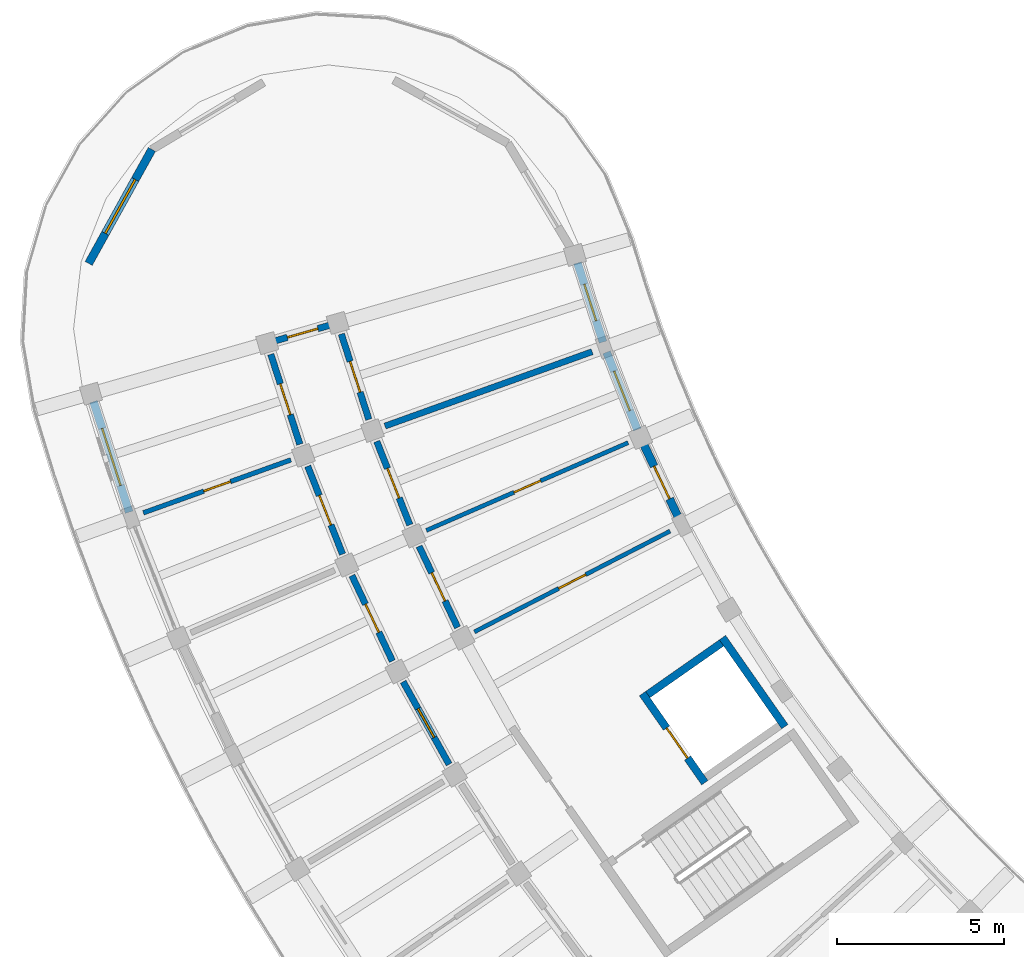
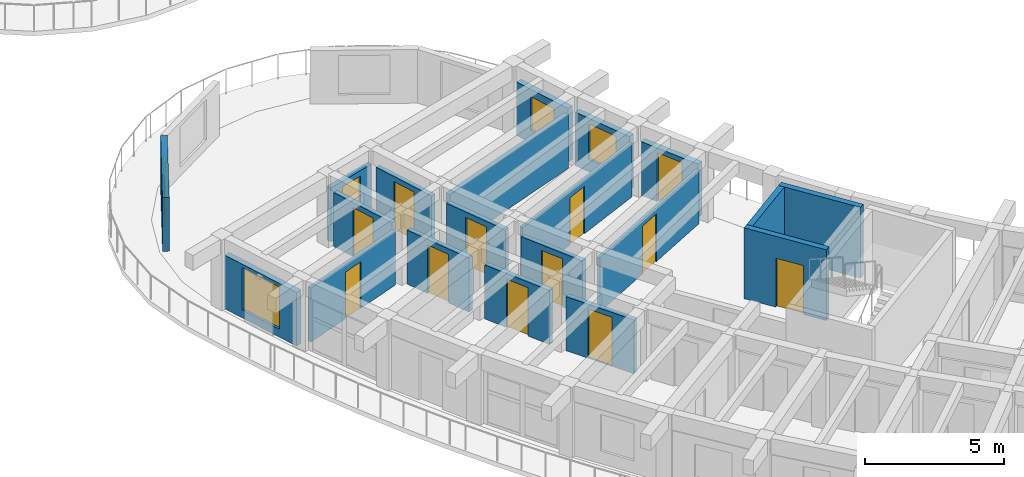
# One storey, part 57 of 96: 20 walls, 13 doors, 4 windows, 17 openings.
"""IFC4 building model written with IfcOpenShell, lengths in metres."""

import ifcopenshell
import ifcopenshell.guid

model = None  # the IFC model being written
_history = None  # IfcOwnerHistory: only IFC2X3 demands one
_inside = {}  # id of a spatial element -> (the spatial element, [elements in it])
_under = {}  # id of a project, library or spatial element -> (it, [spatial elements below it])
_declared = {}  # id of a project -> (the project, [libraries it declares])
_typed = {}  # id of a type object -> (the type object, [elements of that type])
_made_of = {}  # id of a material, layer set ... -> (it, [elements and type objects made of it])


def new_model(schema):
    """Start an empty IFC model of exactly this schema.

    Asked for "IFC4X3", IfcOpenShell would pick the latest addendum, in which some entities
    have other attributes; the version numbers below select the first issue.
    IFC2X3 requires an IfcOwnerHistory on every rooted entity: one is made here for all.
    """
    global model, _history
    if schema == "IFC4X3":
        model = ifcopenshell.file(schema_version=(4, 3, 0, 0))
    else:
        model = ifcopenshell.file(schema=schema)
    _inside.clear()
    _under.clear()
    _declared.clear()
    _typed.clear()
    _made_of.clear()
    _history = None
    if model.schema == "IFC2X3":
        org = make("IfcOrganization", Name="unknown")
        user = make(
            "IfcPersonAndOrganization",
            ThePerson=make("IfcPerson", FamilyName="unknown"),
            TheOrganization=org,
        )
        app = make(
            "IfcApplication",
            ApplicationDeveloper=org,
            Version="unknown",
            ApplicationFullName="unknown",
            ApplicationIdentifier="unknown",
        )
        _history = make(
            "IfcOwnerHistory",
            OwningUser=user,
            OwningApplication=app,
            ChangeAction="ADDED",
            CreationDate=0,
        )
    return model


def make(cls, **values):
    """One entity of the class cls with the attributes given. An attribute that is None is left unset."""
    return model.create_entity(
        cls, **{name: value for name, value in values.items() if value is not None}
    )


def rooted(cls, **values):
    """An entity with a GlobalId (a new one), such as an element, a storey or a relation."""
    return make(cls, GlobalId=ifcopenshell.guid.new(), OwnerHistory=_history, **values)


def si_unit(unit_type, name, prefix=None):
    """IfcSIUnit, for example si_unit("LENGTHUNIT", "METRE", prefix="MILLI")."""
    return make("IfcSIUnit", UnitType=unit_type, Prefix=prefix, Name=name)


def assignment(units):
    """IfcUnitAssignment: the units of a project."""
    return None if units is None else make("IfcUnitAssignment", Units=units)


def point(xyz):
    """IfcCartesianPoint."""
    return None if xyz is None else make("IfcCartesianPoint", Coordinates=xyz)


def direction(xyz):
    """IfcDirection."""
    return None if xyz is None else make("IfcDirection", DirectionRatios=xyz)


def frame(location, z_axis=None, x_axis=None):
    """IfcAxis2Placement3D, a coordinate frame: its origin and axes. An axis left out is left unset."""
    return make(
        "IfcAxis2Placement3D",
        Location=point(location),
        Axis=direction(z_axis),
        RefDirection=direction(x_axis),
    )


def frame_2d(location, x_axis=None):
    """IfcAxis2Placement2D, a coordinate frame in the plane: its origin and x axis."""
    return make(
        "IfcAxis2Placement2D", Location=point(location), RefDirection=direction(x_axis)
    )


def origin():
    """The frame at (0, 0, 0) with its axes left unset."""
    return frame((0.0, 0.0, 0.0))


def place(relative_to, where):
    """IfcLocalPlacement: puts the frame where relative to a parent placement (None: the world)."""
    return make(
        "IfcLocalPlacement", PlacementRelTo=relative_to, RelativePlacement=where
    )


def context(
    kind, dimensions, precision=None, world=None, true_north=None, identifier=None
):
    """IfcGeometricRepresentationContext, for example the 3D "Model" context."""
    return make(
        "IfcGeometricRepresentationContext",
        ContextIdentifier=identifier,
        ContextType=kind,
        CoordinateSpaceDimension=dimensions,
        Precision=precision,
        WorldCoordinateSystem=world,
        TrueNorth=true_north,
    )


def subcontext(parent, identifier, kind, view, scale=None):
    """IfcGeometricRepresentationSubContext, for example "Body" below "Model"."""
    return make(
        "IfcGeometricRepresentationSubContext",
        ContextIdentifier=identifier,
        ContextType=kind,
        ParentContext=parent,
        TargetScale=scale,
        TargetView=view,
    )


def project(units=None, contexts=None):
    """IfcProject with its units and contexts."""
    return rooted(
        "IfcProject",
        Name="project",
        RepresentationContexts=contexts,
        UnitsInContext=assignment(units),
    )


def spatial(cls, under=None, at=None, **own):
    """A site, building, storey or space (cls), placed at a placement, below another one or the project."""
    s = rooted(cls, ObjectPlacement=at, **own)
    if under is not None:
        _under.setdefault(under.id(), (under, []))[1].append(s)
    return s


def profile(cls, at=None, kind="AREA", **sizes):
    """A parametric profile (cls). Its sizes go by their IFC names, for example OverallWidth=200.0."""
    return make(cls, ProfileType=kind, Position=at, **sizes)


def rectangle(**sizes):
    """IfcRectangleProfileDef."""
    return profile("IfcRectangleProfileDef", **sizes)


def extrude(swept, where, along, depth):
    """IfcExtrudedAreaSolid: the profile swept, set in the frame where, extruded along a direction by depth."""
    return make(
        "IfcExtrudedAreaSolid",
        SweptArea=swept,
        Position=where,
        ExtrudedDirection=direction(along),
        Depth=depth,
    )


def shape(context_of_items, identifier, shape_type, items):
    """IfcShapeRepresentation: the items that make up one representation, for example the "Body"."""
    return make(
        "IfcShapeRepresentation",
        ContextOfItems=context_of_items,
        RepresentationIdentifier=identifier,
        RepresentationType=shape_type,
        Items=items,
    )


def material(Name=None, Category=None):
    """IfcMaterial."""
    return make("IfcMaterial", Name=Name, Category=Category)


def layer(
    of_material, thickness, ventilated=None, Name=None, Category=None, Priority=None
):
    """IfcMaterialLayer: one layer of a wall or slab, of a material (None: an air gap)."""
    return make(
        "IfcMaterialLayer",
        Material=of_material,
        LayerThickness=thickness,
        IsVentilated=ventilated,
        Name=Name,
        Category=Category,
        Priority=Priority,
    )


def layer_set(layers, Name=None):
    """IfcMaterialLayerSet."""
    return make("IfcMaterialLayerSet", MaterialLayers=layers, LayerSetName=Name)


def made_of(thing, what):
    """Note that an element or type object is made of a material, layer set ...; save() writes the relation."""
    if what is not None:
        _made_of.setdefault(what.id(), (what, []))[1].append(thing)
    return thing


def type_object(cls, material=None, **own):
    """A type object (cls), such as IfcWallType, which elements share."""
    return made_of(rooted(cls, **own), material)


def element(
    cls,
    number,
    at=None,
    inside=None,
    cuts=None,
    type_object=None,
    material=None,
    context=None,
    identifier="Body",
    shape_type=None,
    held_by="IfcProductDefinitionShape",
    body=None,
    shapes=None,
    **own,
):
    """One element of the class cls, such as IfcWall. Its Tag is "e" and its number.

    at: its placement. inside: the storey or other place that contains it. cuts: it is an
    opening in that element (IfcRelVoidsElement). A single representation is given by context,
    identifier, shape_type and body (its items); several are given by shapes. held_by: the class
    of the entity that holds the representations. save() writes the other relations.
    """
    e = rooted(cls, Tag="e%d" % number, ObjectPlacement=at, **own)
    if body is not None:
        shapes = [shape(context, identifier, shape_type, body)]
    if shapes is not None:
        e.Representation = make(held_by, Representations=shapes)
    if inside is not None:
        _inside.setdefault(inside.id(), (inside, []))[1].append(e)
    if cuts is not None:
        rooted(
            "IfcRelVoidsElement", RelatingBuildingElement=cuts, RelatedOpeningElement=e
        )
    if type_object is not None:
        _typed.setdefault(type_object.id(), (type_object, []))[1].append(e)
    return made_of(e, material)


def fill(opening, filler):
    """IfcRelFillsElement: the door or window that sits in an opening."""
    return rooted(
        "IfcRelFillsElement",
        RelatingOpeningElement=opening,
        RelatedBuildingElement=filler,
    )


def aggregate(whole, parts):
    """IfcRelAggregates: a whole, such as a stair, and the parts it consists of."""
    return rooted("IfcRelAggregates", RelatingObject=whole, RelatedObjects=parts)


def save(model, path):
    """Write the relations noted so far, then the file.

    IfcRelAggregates (storeys below a building ...), IfcRelContainedInSpatialStructure (elements
    in a storey), IfcRelDefinesByType, IfcRelAssociatesMaterial and IfcRelDeclares: one each for
    every whole, place, type object, material and project.
    """
    for whole, parts in _under.values():
        aggregate(whole, parts)
    for where, things in _inside.values():
        rooted(
            "IfcRelContainedInSpatialStructure",
            RelatedElements=things,
            RelatingStructure=where,
        )
    for kind, things in _typed.values():
        rooted("IfcRelDefinesByType", RelatedObjects=things, RelatingType=kind)
    for what, things in _made_of.values():
        rooted("IfcRelAssociatesMaterial", RelatedObjects=things, RelatingMaterial=what)
    for by, libraries in _declared.values():
        rooted("IfcRelDeclares", RelatingContext=by, RelatedDefinitions=libraries)
    model.write(path)


model = new_model("IFC4")

# Units and contexts
model_context = context("Model", 3, precision=1e-05, world=origin(), true_north=direction((0.0, 1.0)))
body_context = subcontext(model_context, "Body", "Model", "MODEL_VIEW")
ifc_project = project(units=[si_unit("LENGTHUNIT", "METRE"), si_unit("AREAUNIT", "SQUARE_METRE"), si_unit("VOLUMEUNIT", "CUBIC_METRE"), si_unit("PLANEANGLEUNIT", "RADIAN"), si_unit("MASSUNIT", "GRAM", prefix="KILO")], contexts=[model_context])

# Site, building, storey
site_placement = place(None, origin())
site = spatial("IfcSite", under=ifc_project, at=site_placement, CompositionType="ELEMENT")
building_placement = place(site_placement, origin())
building = spatial("IfcBuilding", under=site, at=building_placement, Name="Tanwirah Colonnade Gardens", CompositionType="ELEMENT")
storey_placement = place(building_placement, frame((0.0, 0.0, 12.199951171875)))
storey = spatial("IfcBuildingStorey", under=building, at=storey_placement, Name="L03", CompositionType="ELEMENT", Elevation=12.199951171875)

# Wall, opening, window
ifc_material_1 = material(Name="Limestone architectural precast concrete C40/50", Category="masonry")
ifc_layer_1 = layer(ifc_material_1, 0.2451171875)
ifc_layer_set_1 = layer_set([ifc_layer_1], Name="Limestone architectural precast concrete C40/50")
wall_type_1 = type_object("IfcWallType", Name="EW-PC245", PredefinedType="SOLIDWALL", material=ifc_layer_set_1)
wall_1_placement = place(storey_placement, frame((7.83349609375, 47.847900390625, 0.0), z_axis=(0.0, 0.0, 1.0), x_axis=(0.306949591136, -0.951725773793, 0.0)))
wall_1 = element("IfcWall", 1, at=wall_1_placement, inside=storey, type_object=wall_type_1, Name="Block C L03 OUT Precast Facade Wall 0", PredefinedType="SOLIDWALL", context=body_context, shape_type="SweptSolid", body=[
    extrude(rectangle(XDim=3.48681640625, YDim=0.2451171875, at=frame_2d((1.743408203125, 0.0))), origin(), (0.0, 0.0, 1.0), 2.35498046875),
])
opening_1_placement = place(wall_1_placement, frame((0.843505859375, 0.0, 0.35009765625)))
opening_1 = element("IfcOpeningElement", 2, at=opening_1_placement, cuts=wall_1, Name="Opening WIN-T14", PredefinedType="OPENING", context=body_context, shape_type="SweptSolid", body=[
    extrude(rectangle(XDim=1.800048828125, YDim=1.85009765625, at=frame_2d((0.89990234375, 0.925048828125))), frame((0.0, 0.132568359375, 0.0), z_axis=(0.0, -1.0, 0.0), x_axis=(1.0, 0.0, 0.0)), (0.0, 0.0, 1.0), 0.26513671875),
])
ifc_material_2 = material(Name="Thermally broken bronze aluminium and solar low-E double glazing", Category="aluminium")
window_type_1 = type_object("IfcWindowType", Name="WIN-T14", PartitioningType="TRIPLE_PANEL_VERTICAL", PredefinedType="WINDOW", material=ifc_material_2)
window_1_placement = place(opening_1_placement, origin())
window_1 = element("IfcWindow", 3, at=window_1_placement, inside=storey, type_object=window_type_1, Name="Facade window C-L03-OUT-00", OverallHeight=1.85009765625, OverallWidth=1.800048828125, PartitioningType="SINGLE_PANEL", PredefinedType="WINDOW", context=body_context, shape_type="SweptSolid", body=[
    extrude(rectangle(XDim=1.800048828125, YDim=1.85009765625, at=frame_2d((0.89990234375, 0.925048828125))), frame((0.0, 0.030029296875, 0.0), z_axis=(0.0, -1.0, 0.0), x_axis=(1.0, 0.0, 0.0)), (0.0, 0.0, 1.0), 0.06005859375),
])
fill(opening_1, window_1)

wall_2_placement = place(storey_placement, frame((22.3486328125, 52.010009765625, 0.0), z_axis=(0.0, 0.0, 1.0), x_axis=(0.306979942778, -0.951715984279, 0.0)))
wall_2 = element("IfcWall", 4, at=wall_2_placement, inside=storey, type_object=wall_type_1, Name="Block C L03 IN Precast Facade Wall 0", PredefinedType="SOLIDWALL", context=body_context, shape_type="SweptSolid", body=[
    extrude(rectangle(XDim=2.498779296875, YDim=0.2451171875, at=frame_2d((1.24951171875, 0.0))), origin(), (0.0, 0.0, 1.0), 2.35498046875),
])
opening_2_placement = place(wall_2_placement, frame((0.66943359375, 0.0, 0.550048828125)))
opening_2 = element("IfcOpeningElement", 5, at=opening_2_placement, cuts=wall_2, Name="Opening WIN-U01", PredefinedType="OPENING", context=body_context, shape_type="SweptSolid", body=[
    extrude(rectangle(XDim=1.159912109375, YDim=1.485107421875, at=frame_2d((0.580078125, 0.74267578125))), frame((0.0, 0.132568359375, 0.0), z_axis=(0.0, -1.0, 0.0), x_axis=(1.0, 0.0, 0.0)), (0.0, 0.0, 1.0), 0.26513671875),
])
window_type_2 = type_object("IfcWindowType", Name="WIN-U01", PartitioningType="DOUBLE_PANEL_VERTICAL", PredefinedType="WINDOW", material=ifc_material_2)
window_2_placement = place(opening_2_placement, origin())
window_2 = element("IfcWindow", 6, at=window_2_placement, inside=storey, type_object=window_type_2, Name="Facade window C-L03-IN-00", OverallHeight=1.485107421875, OverallWidth=1.159912109375, PartitioningType="SINGLE_PANEL", PredefinedType="WINDOW", context=body_context, shape_type="SweptSolid", body=[
    extrude(rectangle(XDim=1.159912109375, YDim=1.485107421875, at=frame_2d((0.580078125, 0.74267578125))), frame((0.0, 0.030029296875, 0.0), z_axis=(0.0, -1.0, 0.0), x_axis=(1.0, 0.0, 0.0)), (0.0, 0.0, 1.0), 0.06005859375),
])
fill(opening_2, window_2)

wall_3_placement = place(storey_placement, frame((23.2236328125, 49.330810546875, 0.0), z_axis=(0.0, 0.0, 1.0), x_axis=(0.368558756085, -0.9296044553, 0.0)))
wall_3 = element("IfcWall", 7, at=wall_3_placement, inside=storey, type_object=wall_type_1, Name="Block C L03 IN Precast Facade Wall 1", PredefinedType="SOLIDWALL", context=body_context, shape_type="SweptSolid", body=[
    extrude(rectangle(XDim=2.49853515625, YDim=0.2451171875, at=frame_2d((1.249267578125, 0.0))), origin(), (0.0, 0.0, 1.0), 2.35498046875),
])
opening_3_placement = place(wall_3_placement, frame((0.609375, 0.0, 0.550048828125)))
opening_3 = element("IfcOpeningElement", 8, at=opening_3_placement, cuts=wall_3, Name="Opening WIN-U04", PredefinedType="OPENING", context=body_context, shape_type="SweptSolid", body=[
    extrude(rectangle(XDim=1.280029296875, YDim=1.56005859375, at=frame_2d((0.64013671875, 0.780029296875))), frame((0.0, 0.132568359375, 0.0), z_axis=(0.0, -1.0, 0.0), x_axis=(1.0, 0.0, 0.0)), (0.0, 0.0, 1.0), 0.26513671875),
])
window_type_3 = type_object("IfcWindowType", Name="WIN-U04", PartitioningType="DOUBLE_PANEL_VERTICAL", PredefinedType="WINDOW", material=ifc_material_2)
window_3_placement = place(opening_3_placement, origin())
window_3 = element("IfcWindow", 9, at=window_3_placement, inside=storey, type_object=window_type_3, Name="Facade window C-L03-IN-01", OverallHeight=1.56005859375, OverallWidth=1.280029296875, PartitioningType="SINGLE_PANEL", PredefinedType="WINDOW", context=body_context, shape_type="SweptSolid", body=[
    extrude(rectangle(XDim=1.280029296875, YDim=1.56005859375, at=frame_2d((0.64013671875, 0.780029296875))), frame((0.0, 0.030029296875, 0.0), z_axis=(0.0, -1.0, 0.0), x_axis=(1.0, 0.0, 0.0)), (0.0, 0.0, 1.0), 0.06005859375),
])
fill(opening_3, window_3)

# Wall, opening, door
wall_4_placement = place(storey_placement, frame((24.34375, 46.5498046875, 0.0), z_axis=(0.0, 0.0, 1.0), x_axis=(0.428514676045, -0.903534820809, 0.0)))
wall_4 = element("IfcWall", 10, at=wall_4_placement, inside=storey, type_object=wall_type_1, Name="Block C L03 IN Precast Facade Wall 2", PredefinedType="SOLIDWALL", context=body_context, shape_type="SweptSolid", body=[
    extrude(rectangle(XDim=2.498779296875, YDim=0.2451171875, at=frame_2d((1.24951171875, 0.0))), origin(), (0.0, 0.0, 1.0), 2.35498046875),
])
opening_4_placement = place(wall_4_placement, frame((0.70947265625, 0.0, 0.0)))
opening_4 = element("IfcOpeningElement", 11, at=opening_4_placement, cuts=wall_4, Name="Opening L03-ED139", PredefinedType="OPENING", context=body_context, shape_type="SweptSolid", body=[
    extrude(rectangle(XDim=1.080078125, YDim=2.14990234375, at=frame_2d((0.5400390625, 1.074951171875))), frame((0.0, 0.132568359375, 0.0), z_axis=(0.0, -1.0, 0.0), x_axis=(1.0, 0.0, 0.0)), (0.0, 0.0, 1.0), 0.26513671875),
])
ifc_material_3 = material(Name="Bronze aluminium glazed balcony door", Category="aluminium")
door_type_1 = type_object("IfcDoorType", Name="ED-BAL108", OperationType="NOTDEFINED", PredefinedType="DOOR", material=ifc_material_3)
door_1_placement = place(opening_4_placement, origin())
door_1 = element("IfcDoor", 12, at=door_1_placement, inside=storey, type_object=door_type_1, Name="Balcony glazed door L03-ED139", OperationType="SINGLE_SWING_RIGHT", OverallHeight=2.14990234375, OverallWidth=1.080078125, PredefinedType="DOOR", context=body_context, shape_type="SweptSolid", body=[
    extrude(rectangle(XDim=1.080078125, YDim=2.14990234375, at=frame_2d((0.5400390625, 1.074951171875))), frame((0.0, 0.02490234375, 0.0), z_axis=(0.0, -1.0, 0.0), x_axis=(1.0, 0.0, 0.0)), (0.0, 0.0, 1.0), 0.050048828125),
])
fill(opening_4, door_1)

# Wall, opening, window
wall_5_placement = place(storey_placement, frame((7.688720703125, 51.993408203125, 0.0), z_axis=(0.0, 0.0, 1.0), x_axis=(0.48481530532, 0.874616555828, 0.0)))
wall_5 = element("IfcWall", 13, at=wall_5_placement, inside=storey, type_object=wall_type_1, Name="Block C L03 START Rounded End Wall 1", PredefinedType="SOLIDWALL", context=body_context, shape_type="SweptSolid", body=[
    extrude(rectangle(XDim=3.908203125, YDim=0.2451171875, at=frame_2d((1.9541015625, 0.0))), origin(), (0.0, 0.0, 1.0), 2.35498046875),
])
opening_5_placement = place(wall_5_placement, frame((1.029052734375, 0.0, 0.39990234375)))
opening_5 = element("IfcOpeningElement", 14, at=opening_5_placement, cuts=wall_5, Name="Opening WIN-END1", PredefinedType="OPENING", context=body_context, shape_type="SweptSolid", body=[
    extrude(rectangle(XDim=1.85009765625, YDim=1.719970703125, at=frame_2d((0.925048828125, 0.85986328125))), frame((0.0, 0.132568359375, 0.0), z_axis=(0.0, -1.0, 0.0), x_axis=(1.0, 0.0, 0.0)), (0.0, 0.0, 1.0), 0.26513671875),
])
window_type_4 = type_object("IfcWindowType", Name="WIN-END1", PartitioningType="TRIPLE_PANEL_VERTICAL", PredefinedType="WINDOW", material=ifc_material_2)
window_4_placement = place(opening_5_placement, origin())
window_4 = element("IfcWindow", 15, at=window_4_placement, inside=storey, type_object=window_type_4, Name="Rounded corner window C-L03-START-1", OverallHeight=1.719970703125, OverallWidth=1.85009765625, PartitioningType="SINGLE_PANEL", PredefinedType="WINDOW", context=body_context, shape_type="SweptSolid", body=[
    extrude(rectangle(XDim=1.85009765625, YDim=1.719970703125, at=frame_2d((0.925048828125, 0.85986328125))), frame((0.0, 0.030029296875, 0.0), z_axis=(0.0, -1.0, 0.0), x_axis=(1.0, 0.0, 0.0)), (0.0, 0.0, 1.0), 0.06005859375),
])
fill(opening_5, window_4)

# Wall, opening, door
ifc_material_4 = material(Name="Precast concrete C40/50", Category="concrete")
ifc_layer_2 = layer(ifc_material_4, 0.195068359375)
ifc_layer_set_2 = layer_set([ifc_layer_2], Name="Precast concrete C40/50")
wall_type_2 = type_object("IfcWallType", Name="IW-CORR195", PredefinedType="PARTITIONING", material=ifc_layer_set_2)
wall_6_placement = place(storey_placement, frame((13.151123046875, 49.268798828125, 0.0), z_axis=(0.0, 0.0, 1.0), x_axis=(0.30694495224, -0.951727269912, 0.0)))
wall_6 = element("IfcWall", 16, at=wall_6_placement, inside=storey, type_object=wall_type_2, Name="Block C L03 OUT Corridor Wall 0", PredefinedType="PARTITIONING", context=body_context, shape_type="SweptSolid", body=[
    extrude(rectangle(XDim=2.837158203125, YDim=0.195068359375, at=frame_2d((1.41845703125, 0.0))), origin(), (0.0, 0.0, 1.0), 2.3701171875),
])
opening_6_placement = place(wall_6_placement, frame((0.93359375, 0.0, 0.0)))
opening_6 = element("IfcOpeningElement", 17, at=opening_6_placement, cuts=wall_6, Name="Opening L03-AD1391", PredefinedType="OPENING", context=body_context, shape_type="SweptSolid", body=[
    extrude(rectangle(XDim=0.969970703125, YDim=2.14990234375, at=frame_2d((0.48486328125, 1.074951171875))), frame((0.0, 0.107421875, 0.0), z_axis=(0.0, -1.0, 0.0), x_axis=(1.0, 0.0, 0.0)), (0.0, 0.0, 1.0), 0.215087890625),
])
ifc_material_5 = material(Name="Solid oak fire-resisting apartment entrance door")
door_type_2 = type_object("IfcDoorType", Name="ID-FLT097", OperationType="NOTDEFINED", PredefinedType="DOOR", material=ifc_material_5)
door_2_placement = place(opening_6_placement, origin())
door_2 = element("IfcDoor", 18, at=door_2_placement, inside=storey, type_object=door_type_2, Name="Apartment corridor door L03-AD1391", OperationType="SINGLE_SWING_RIGHT", OverallHeight=2.14990234375, OverallWidth=0.969970703125, PredefinedType="DOOR", context=body_context, shape_type="SweptSolid", body=[
    extrude(rectangle(XDim=0.969970703125, YDim=2.14990234375, at=frame_2d((0.48486328125, 1.074951171875))), frame((0.0, 0.02490234375, 0.0), z_axis=(0.0, -1.0, 0.0), x_axis=(1.0, 0.0, 0.0)), (0.0, 0.0, 1.0), 0.050048828125),
])
fill(opening_6, door_2)

wall_7_placement = place(storey_placement, frame((15.26611328125, 49.875, 0.0), z_axis=(0.0, 0.0, 1.0), x_axis=(0.306883578189, -0.951747061691, 0.0)))
wall_7 = element("IfcWall", 19, at=wall_7_placement, inside=storey, type_object=wall_type_2, Name="Block C L03 IN Corridor Wall 0", PredefinedType="PARTITIONING", context=body_context, shape_type="SweptSolid", body=[
    extrude(rectangle(XDim=2.69287109375, YDim=0.195068359375, at=frame_2d((1.346435546875, 0.0))), origin(), (0.0, 0.0, 1.0), 2.3701171875),
])
opening_7_placement = place(wall_7_placement, frame((0.861572265625, 0.0, 0.0)))
opening_7 = element("IfcOpeningElement", 20, at=opening_7_placement, cuts=wall_7, Name="Opening L03-AD1392", PredefinedType="OPENING", context=body_context, shape_type="SweptSolid", body=[
    extrude(rectangle(XDim=0.969970703125, YDim=2.14990234375, at=frame_2d((0.48486328125, 1.074951171875))), frame((0.0, 0.107421875, 0.0), z_axis=(0.0, -1.0, 0.0), x_axis=(1.0, 0.0, 0.0)), (0.0, 0.0, 1.0), 0.215087890625),
])
door_3_placement = place(opening_7_placement, origin())
door_3 = element("IfcDoor", 21, at=door_3_placement, inside=storey, type_object=door_type_2, Name="Apartment corridor door L03-AD1392", OperationType="SINGLE_SWING_LEFT", OverallHeight=2.14990234375, OverallWidth=0.969970703125, PredefinedType="DOOR", context=body_context, shape_type="SweptSolid", body=[
    extrude(rectangle(XDim=0.969970703125, YDim=2.14990234375, at=frame_2d((0.48486328125, 1.074951171875))), frame((0.0, 0.02490234375, 0.0), z_axis=(0.0, -1.0, 0.0), x_axis=(1.0, 0.0, 0.0)), (0.0, 0.0, 1.0), 0.050048828125),
])
fill(opening_7, door_3)

wall_8_placement = place(storey_placement, frame((14.25830078125, 45.91015625, 0.0), z_axis=(0.0, 0.0, 1.0), x_axis=(0.368584691693, -0.929594172233, 0.0)))
wall_8 = element("IfcWall", 22, at=wall_8_placement, inside=storey, type_object=wall_type_2, Name="Block C L03 OUT Corridor Wall 1", PredefinedType="PARTITIONING", context=body_context, shape_type="SweptSolid", body=[
    extrude(rectangle(XDim=2.8369140625, YDim=0.195068359375, at=frame_2d((1.41845703125, 0.0))), origin(), (0.0, 0.0, 1.0), 2.3701171875),
])
opening_8_placement = place(wall_8_placement, frame((0.943603515625, 0.0, 0.0)))
opening_8 = element("IfcOpeningElement", 23, at=opening_8_placement, cuts=wall_8, Name="Opening L03-AD1394", PredefinedType="OPENING", context=body_context, shape_type="SweptSolid", body=[
    extrude(rectangle(XDim=0.949951171875, YDim=2.1298828125, at=frame_2d((0.47509765625, 1.06494140625))), frame((0.0, 0.107421875, 0.0), z_axis=(0.0, -1.0, 0.0), x_axis=(1.0, 0.0, 0.0)), (0.0, 0.0, 1.0), 0.215087890625),
])
door_type_3 = type_object("IfcDoorType", Name="ID-FLT095", OperationType="NOTDEFINED", PredefinedType="DOOR", material=ifc_material_5)
door_4_placement = place(opening_8_placement, origin())
door_4 = element("IfcDoor", 24, at=door_4_placement, inside=storey, type_object=door_type_3, Name="Apartment corridor door L03-AD1394", OperationType="SINGLE_SWING_LEFT", OverallHeight=2.1298828125, OverallWidth=0.949951171875, PredefinedType="DOOR", context=body_context, shape_type="SweptSolid", body=[
    extrude(rectangle(XDim=0.949951171875, YDim=2.1298828125, at=frame_2d((0.47509765625, 1.06494140625))), frame((0.0, 0.02490234375, 0.0), z_axis=(0.0, -1.0, 0.0), x_axis=(1.0, 0.0, 0.0)), (0.0, 0.0, 1.0), 0.050048828125),
])
fill(opening_8, door_4)

wall_9_placement = place(storey_placement, frame((16.3291015625, 46.653564453125, 0.0), z_axis=(0.0, 0.0, 1.0), x_axis=(0.368528468945, -0.929616462622, 0.0)))
wall_9 = element("IfcWall", 25, at=wall_9_placement, inside=storey, type_object=wall_type_2, Name="Block C L03 IN Corridor Wall 1", PredefinedType="PARTITIONING", context=body_context, shape_type="SweptSolid", body=[
    extrude(rectangle(XDim=2.69287109375, YDim=0.195068359375, at=frame_2d((1.346435546875, 0.0))), origin(), (0.0, 0.0, 1.0), 2.3701171875),
])
opening_9_placement = place(wall_9_placement, frame((0.87158203125, 0.0, 0.0)))
opening_9 = element("IfcOpeningElement", 26, at=opening_9_placement, cuts=wall_9, Name="Opening L03-AD1395", PredefinedType="OPENING", context=body_context, shape_type="SweptSolid", body=[
    extrude(rectangle(XDim=0.949951171875, YDim=2.1298828125, at=frame_2d((0.47509765625, 1.06494140625))), frame((0.0, 0.107421875, 0.0), z_axis=(0.0, -1.0, 0.0), x_axis=(1.0, 0.0, 0.0)), (0.0, 0.0, 1.0), 0.215087890625),
])
door_5_placement = place(opening_9_placement, origin())
door_5 = element("IfcDoor", 27, at=door_5_placement, inside=storey, type_object=door_type_3, Name="Apartment corridor door L03-AD1395", OperationType="SINGLE_SWING_RIGHT", OverallHeight=2.1298828125, OverallWidth=0.949951171875, PredefinedType="DOOR", context=body_context, shape_type="SweptSolid", body=[
    extrude(rectangle(XDim=0.949951171875, YDim=2.1298828125, at=frame_2d((0.47509765625, 1.06494140625))), frame((0.0, 0.02490234375, 0.0), z_axis=(0.0, -1.0, 0.0), x_axis=(1.0, 0.0, 0.0)), (0.0, 0.0, 1.0), 0.050048828125),
])
fill(opening_9, door_5)

wall_10_placement = place(storey_placement, frame((15.5830078125, 42.63134765625, 0.0), z_axis=(0.0, 0.0, 1.0), x_axis=(0.428493237107, -0.903544988229, 0.0)))
wall_10 = element("IfcWall", 28, at=wall_10_placement, inside=storey, type_object=wall_type_2, Name="Block C L03 OUT Corridor Wall 2", PredefinedType="PARTITIONING", context=body_context, shape_type="SweptSolid", body=[
    extrude(rectangle(XDim=2.8369140625, YDim=0.195068359375, at=frame_2d((1.41845703125, 0.0))), origin(), (0.0, 0.0, 1.0), 2.3701171875),
])
opening_10_placement = place(wall_10_placement, frame((0.95361328125, 0.0, 0.0)))
opening_10 = element("IfcOpeningElement", 29, at=opening_10_placement, cuts=wall_10, Name="Opening L03-AD1397", PredefinedType="OPENING", context=body_context, shape_type="SweptSolid", body=[
    extrude(rectangle(XDim=0.929931640625, YDim=2.1201171875, at=frame_2d((0.46484375, 1.06005859375))), frame((0.0, 0.107421875, 0.0), z_axis=(0.0, -1.0, 0.0), x_axis=(1.0, 0.0, 0.0)), (0.0, 0.0, 1.0), 0.215087890625),
])
door_type_4 = type_object("IfcDoorType", Name="ID-FLT093", OperationType="NOTDEFINED", PredefinedType="DOOR", material=ifc_material_5)
door_6_placement = place(opening_10_placement, origin())
door_6 = element("IfcDoor", 30, at=door_6_placement, inside=storey, type_object=door_type_4, Name="Apartment corridor door L03-AD1397", OperationType="SINGLE_SWING_RIGHT", OverallHeight=2.1201171875, OverallWidth=0.929931640625, PredefinedType="DOOR", context=body_context, shape_type="SweptSolid", body=[
    extrude(rectangle(XDim=0.929931640625, YDim=2.1201171875, at=frame_2d((0.46484375, 1.06005859375))), frame((0.0, 0.02490234375, 0.0), z_axis=(0.0, -1.0, 0.0), x_axis=(1.0, 0.0, 0.0)), (0.0, 0.0, 1.0), 0.050048828125),
])
fill(opening_10, door_6)

wall_11_placement = place(storey_placement, frame((17.600341796875, 43.508544921875, 0.0), z_axis=(0.0, 0.0, 1.0), x_axis=(0.428550049392, -0.903518043631, 0.0)))
wall_11 = element("IfcWall", 31, at=wall_11_placement, inside=storey, type_object=wall_type_2, Name="Block C L03 IN Corridor Wall 2", PredefinedType="PARTITIONING", context=body_context, shape_type="SweptSolid", body=[
    extrude(rectangle(XDim=2.69287109375, YDim=0.195068359375, at=frame_2d((1.346435546875, 0.0))), origin(), (0.0, 0.0, 1.0), 2.3701171875),
])
opening_11_placement = place(wall_11_placement, frame((0.881591796875, 0.0, 0.0)))
opening_11 = element("IfcOpeningElement", 32, at=opening_11_placement, cuts=wall_11, Name="Opening L03-AD1398", PredefinedType="OPENING", context=body_context, shape_type="SweptSolid", body=[
    extrude(rectangle(XDim=0.929931640625, YDim=2.1201171875, at=frame_2d((0.46484375, 1.06005859375))), frame((0.0, 0.107421875, 0.0), z_axis=(0.0, -1.0, 0.0), x_axis=(1.0, 0.0, 0.0)), (0.0, 0.0, 1.0), 0.215087890625),
])
door_7_placement = place(opening_11_placement, origin())
door_7 = element("IfcDoor", 33, at=door_7_placement, inside=storey, type_object=door_type_4, Name="Apartment corridor door L03-AD1398", OperationType="SINGLE_SWING_LEFT", OverallHeight=2.1201171875, OverallWidth=0.929931640625, PredefinedType="DOOR", context=body_context, shape_type="SweptSolid", body=[
    extrude(rectangle(XDim=0.929931640625, YDim=2.1201171875, at=frame_2d((0.46484375, 1.06005859375))), frame((0.0, 0.02490234375, 0.0), z_axis=(0.0, -1.0, 0.0), x_axis=(1.0, 0.0, 0.0)), (0.0, 0.0, 1.0), 0.050048828125),
])
fill(opening_11, door_7)

wall_12_placement = place(storey_placement, frame((17.118896484375, 39.4462890625, 0.0), z_axis=(0.0, 0.0, 1.0), x_axis=(0.48673124079, -0.8735517725, 0.0)))
wall_12 = element("IfcWall", 34, at=wall_12_placement, inside=storey, type_object=wall_type_2, Name="Block C L03 OUT Corridor Wall 3", PredefinedType="PARTITIONING", context=body_context, shape_type="SweptSolid", body=[
    extrude(rectangle(XDim=2.8369140625, YDim=0.195068359375, at=frame_2d((1.41845703125, 0.0))), origin(), (0.0, 0.0, 1.0), 2.3701171875),
])
opening_12_placement = place(wall_12_placement, frame((0.923583984375, 0.0, 0.0)))
opening_12 = element("IfcOpeningElement", 35, at=opening_12_placement, cuts=wall_12, Name="Opening L03-AD1400", PredefinedType="OPENING", context=body_context, shape_type="SweptSolid", body=[
    extrude(rectangle(XDim=0.989990234375, YDim=2.159912109375, at=frame_2d((0.4951171875, 1.080078125))), frame((0.0, 0.107421875, 0.0), z_axis=(0.0, -1.0, 0.0), x_axis=(1.0, 0.0, 0.0)), (0.0, 0.0, 1.0), 0.215087890625),
])
door_type_5 = type_object("IfcDoorType", Name="ID-FLT099", OperationType="NOTDEFINED", PredefinedType="DOOR", material=ifc_material_5)
door_8_placement = place(opening_12_placement, origin())
door_8 = element("IfcDoor", 36, at=door_8_placement, inside=storey, type_object=door_type_5, Name="Apartment corridor door L03-AD1400", OperationType="SINGLE_SWING_LEFT", OverallHeight=2.159912109375, OverallWidth=0.989990234375, PredefinedType="DOOR", context=body_context, shape_type="SweptSolid", body=[
    extrude(rectangle(XDim=0.989990234375, YDim=2.159912109375, at=frame_2d((0.4951171875, 1.080078125))), frame((0.0, 0.02490234375, 0.0), z_axis=(0.0, -1.0, 0.0), x_axis=(1.0, 0.0, 0.0)), (0.0, 0.0, 1.0), 0.050048828125),
])
fill(opening_12, door_8)

wall_13_placement = place(storey_placement, frame((15.110595703125, 50.1943359375, 0.0), z_axis=(0.0, 0.0, 1.0), x_axis=(-0.961264701934, -0.275626872449, 0.0)))
wall_13 = element("IfcWall", 37, at=wall_13_placement, inside=storey, type_object=wall_type_2, Name="Block C L03 CS Corner Suite Corridor Wall", PredefinedType="PARTITIONING", context=body_context, shape_type="SweptSolid", body=[
    extrude(rectangle(XDim=2.10009765625, YDim=0.195068359375, at=frame_2d((1.050048828125, 0.0))), origin(), (0.0, 0.0, 1.0), 2.3701171875),
])
opening_13_placement = place(wall_13_placement, frame((0.570068359375, 0.0, 0.0)))
opening_13 = element("IfcOpeningElement", 38, at=opening_13_placement, cuts=wall_13, Name="Opening L03-CD1427", PredefinedType="OPENING", context=body_context, shape_type="SweptSolid", body=[
    extrude(rectangle(XDim=0.949951171875, YDim=2.1298828125, at=frame_2d((0.47509765625, 1.06494140625))), frame((0.0, 0.107421875, 0.0), z_axis=(0.0, -1.0, 0.0), x_axis=(1.0, 0.0, 0.0)), (0.0, 0.0, 1.0), 0.215087890625),
])
door_9_placement = place(opening_13_placement, origin())
door_9 = element("IfcDoor", 39, at=door_9_placement, inside=storey, type_object=door_type_3, Name="Corner suite entrance door L03-CD1427", OperationType="SINGLE_SWING_LEFT", OverallHeight=2.1298828125, OverallWidth=0.949951171875, PredefinedType="DOOR", context=body_context, shape_type="SweptSolid", body=[
    extrude(rectangle(XDim=0.949951171875, YDim=2.1298828125, at=frame_2d((0.47509765625, 1.06494140625))), frame((0.0, 0.02490234375, 0.0), z_axis=(0.0, -1.0, 0.0), x_axis=(1.0, 0.0, 0.0)), (0.0, 0.0, 1.0), 0.050048828125),
])
fill(opening_13, door_9)

# Wall
ifc_layer_3 = layer(ifc_material_4, 0.18505859375)
ifc_layer_set_3 = layer_set([ifc_layer_3], Name="Precast concrete C40/50")
wall_type_3 = type_object("IfcWallType", Name="IW-DEM185", PredefinedType="PARTITIONING", material=ifc_layer_set_3)
wall_14_placement = place(storey_placement, frame((22.788330078125, 49.344482421875, 0.0), z_axis=(0.0, 0.0, 1.0), x_axis=(-0.941179890997, -0.337905922978, 0.0)))
element("IfcWall", 40, at=wall_14_placement, inside=storey, type_object=wall_type_3, Name="Block C L03 Inner Radial Partition 0", PredefinedType="PARTITIONING", context=body_context, shape_type="SweptSolid", body=[
    extrude(rectangle(XDim=6.60009765625, YDim=0.18505859375, at=frame_2d((3.300048828125, 0.0))), origin(), (0.0, 0.0, 1.0), 2.3701171875),
])

# Wall, opening, door
ifc_material_6 = material(Name="Moisture-resistant gypsum stud partition")
ifc_layer_4 = layer(ifc_material_6, 0.125)
ifc_layer_set_4 = layer_set([ifc_layer_4], Name="Moisture-resistant gypsum stud partition")
wall_type_4 = type_object("IfcWallType", Name="IW-INT125", PredefinedType="PARTITIONING", material=ifc_layer_set_4)
wall_15_placement = place(storey_placement, frame((23.869873046875, 46.6162109375, 0.0), z_axis=(0.0, 0.0, 1.0), x_axis=(-0.9170582943, -0.398753162817, 0.0)))
wall_15 = element("IfcWall", 41, at=wall_15_placement, inside=storey, type_object=wall_type_4, Name="Block C L03 Inner Radial Partition 1", PredefinedType="PARTITIONING", context=body_context, shape_type="SweptSolid", body=[
    extrude(rectangle(XDim=6.60009765625, YDim=0.125, at=frame_2d((3.300048828125, 0.0))), origin(), (0.0, 0.0, 1.0), 2.3701171875),
])
opening_14_placement = place(wall_15_placement, frame((2.864990234375, 0.0, 0.0)))
opening_14 = element("IfcOpeningElement", 42, at=opening_14_placement, cuts=wall_15, Name="Opening L03-RD1396", PredefinedType="OPENING", context=body_context, shape_type="SweptSolid", body=[
    extrude(rectangle(XDim=0.8701171875, YDim=2.080078125, at=frame_2d((0.43505859375, 1.0400390625))), frame((0.0, 0.072509765625, 0.0), z_axis=(0.0, -1.0, 0.0), x_axis=(1.0, 0.0, 0.0)), (0.0, 0.0, 1.0), 0.14501953125),
])
ifc_material_7 = material(Name="Painted hardwood study door", Category="wood")
door_type_6 = type_object("IfcDoorType", Name="ID-RM087", OperationType="NOTDEFINED", PredefinedType="DOOR", material=ifc_material_7)
door_10_placement = place(opening_14_placement, origin())
door_10 = element("IfcDoor", 43, at=door_10_placement, inside=storey, type_object=door_type_6, Name="Internal apartment door L03-RD1396", OperationType="SINGLE_SWING_RIGHT", OverallHeight=2.080078125, OverallWidth=0.8701171875, PredefinedType="DOOR", context=body_context, shape_type="SweptSolid", body=[
    extrude(rectangle(XDim=0.8701171875, YDim=2.080078125, at=frame_2d((0.43505859375, 1.0400390625))), frame((0.0, 0.02490234375, 0.0), z_axis=(0.0, -1.0, 0.0), x_axis=(1.0, 0.0, 0.0)), (0.0, 0.0, 1.0), 0.050048828125),
])
fill(opening_14, door_10)

wall_16_placement = place(storey_placement, frame((25.127685546875, 43.96435546875, 0.0), z_axis=(0.0, 0.0, 1.0), x_axis=(-0.889022010753, -0.457864460727, 0.0)))
wall_16 = element("IfcWall", 44, at=wall_16_placement, inside=storey, type_object=wall_type_4, Name="Block C L03 Inner Radial Partition 2", PredefinedType="PARTITIONING", context=body_context, shape_type="SweptSolid", body=[
    extrude(rectangle(XDim=6.60009765625, YDim=0.125, at=frame_2d((3.300048828125, 0.0))), origin(), (0.0, 0.0, 1.0), 2.3701171875),
])
opening_15_placement = place(wall_16_placement, frame((2.844970703125, 0.0, 0.0)))
opening_15 = element("IfcOpeningElement", 45, at=opening_15_placement, cuts=wall_16, Name="Opening L03-RD1399", PredefinedType="OPENING", context=body_context, shape_type="SweptSolid", body=[
    extrude(rectangle(XDim=0.909912109375, YDim=2.10009765625, at=frame_2d((0.455078125, 1.050048828125))), frame((0.0, 0.072509765625, 0.0), z_axis=(0.0, -1.0, 0.0), x_axis=(1.0, 0.0, 0.0)), (0.0, 0.0, 1.0), 0.14501953125),
])
ifc_material_8 = material(Name="Painted hardwood internal room door", Category="wood")
door_type_7 = type_object("IfcDoorType", Name="ID-RM091", OperationType="NOTDEFINED", PredefinedType="DOOR", material=ifc_material_8)
door_11_placement = place(opening_15_placement, origin())
door_11 = element("IfcDoor", 46, at=door_11_placement, inside=storey, type_object=door_type_7, Name="Internal apartment door L03-RD1399", OperationType="SINGLE_SWING_LEFT", OverallHeight=2.10009765625, OverallWidth=0.909912109375, PredefinedType="DOOR", context=body_context, shape_type="SweptSolid", body=[
    extrude(rectangle(XDim=0.909912109375, YDim=2.10009765625, at=frame_2d((0.455078125, 1.050048828125))), frame((0.0, 0.02490234375, 0.0), z_axis=(0.0, -1.0, 0.0), x_axis=(1.0, 0.0, 0.0)), (0.0, 0.0, 1.0), 0.050048828125),
])
fill(opening_15, door_11)

ifc_material_9 = material(Name="Water-resistant acoustic plumbing partition")
ifc_layer_5 = layer(ifc_material_9, 0.139892578125)
ifc_layer_set_5 = layer_set([ifc_layer_5], Name="Water-resistant acoustic plumbing partition")
wall_type_5 = type_object("IfcWallType", Name="IW-WET140", PredefinedType="PLUMBINGWALL", material=ifc_layer_set_5)
wall_17_placement = place(storey_placement, frame((13.7529296875, 46.100341796875, 0.0), z_axis=(0.0, 0.0, 1.0), x_axis=(-0.941182387398, -0.337898969591, 0.0)))
wall_17 = element("IfcWall", 47, at=wall_17_placement, inside=storey, type_object=wall_type_5, Name="Block C L03 Radial Partition 0", PredefinedType="PLUMBINGWALL", context=body_context, shape_type="SweptSolid", body=[
    extrude(rectangle(XDim=4.699951171875, YDim=0.139892578125, at=frame_2d((2.35009765625, 0.0))), origin(), (0.0, 0.0, 1.0), 2.3701171875),
])
opening_16_placement = place(wall_17_placement, frame((1.925048828125, 0.0, 0.0)))
opening_16 = element("IfcOpeningElement", 48, at=opening_16_placement, cuts=wall_17, Name="Opening L03-RD1393", PredefinedType="OPENING", context=body_context, shape_type="SweptSolid", body=[
    extrude(rectangle(XDim=0.85009765625, YDim=2.050048828125, at=frame_2d((0.425048828125, 1.02490234375))), frame((0.0, 0.079833984375, 0.0), z_axis=(0.0, -1.0, 0.0), x_axis=(1.0, 0.0, 0.0)), (0.0, 0.0, 1.0), 0.159912109375),
])
ifc_material_10 = material(Name="Moisture-resistant en-suite door")
door_type_8 = type_object("IfcDoorType", Name="ID-WET085", OperationType="NOTDEFINED", PredefinedType="DOOR", material=ifc_material_10)
door_12_placement = place(opening_16_placement, origin())
door_12 = element("IfcDoor", 49, at=door_12_placement, inside=storey, type_object=door_type_8, Name="Internal apartment door L03-RD1393", OperationType="SINGLE_SWING_RIGHT", OverallHeight=2.050048828125, OverallWidth=0.85009765625, PredefinedType="DOOR", context=body_context, shape_type="SweptSolid", body=[
    extrude(rectangle(XDim=0.85009765625, YDim=2.050048828125, at=frame_2d((0.425048828125, 1.02490234375))), frame((0.0, 0.02490234375, 0.0), z_axis=(0.0, -1.0, 0.0), x_axis=(1.0, 0.0, 0.0)), (0.0, 0.0, 1.0), 0.050048828125),
])
fill(opening_16, door_12)

ifc_material_11 = material(Name="Concrete C45/55", Category="concrete")
ifc_layer_6 = layer(ifc_material_11, 0.22998046875)
ifc_layer_set_6 = layer_set([ifc_layer_6], Name="Concrete C45/55")
wall_type_6 = type_object("IfcWallType", Name="SW-LIFT230", PredefinedType="SHEAR", material=ifc_layer_set_6)
wall_18_placement = place(storey_placement, frame((26.1689453125, 36.419189453125, 0.0), z_axis=(0.0, 0.0, 1.0), x_axis=(-0.573582966431, 0.819147471839, 0.0)))
wall_18 = element("IfcWall", 50, at=wall_18_placement, inside=storey, type_object=wall_type_6, Name="CORE-C1 L03 Lift Shaft Wall FRONT", PredefinedType="SHEAR", context=body_context, shape_type="SweptSolid", body=[
    extrude(rectangle(XDim=3.260009765625, YDim=0.22998046875, at=frame_2d((1.6298828125, 0.0))), origin(), (0.0, 0.0, 1.0), 3.110107421875),
])
opening_17_placement = place(wall_18_placement, frame((0.89990234375, 0.0, 0.0)))
opening_17 = element("IfcOpeningElement", 51, at=opening_17_placement, cuts=wall_18, Name="Opening L03-LD-FL-C1", PredefinedType="OPENING", context=body_context, shape_type="SweptSolid", body=[
    extrude(rectangle(XDim=1.10009765625, YDim=2.14990234375, at=frame_2d((0.550048828125, 1.074951171875))), frame((0.0, 0.125, 0.0), z_axis=(0.0, -1.0, 0.0), x_axis=(1.0, 0.0, 0.0)), (0.0, 0.0, 1.0), 0.25),
])
ifc_material_12 = material(Name="Stainless steel sliding fire lift landing door", Category="steel")
door_type_9 = type_object("IfcDoorType", Name="LD-FF11", OperationType="DOUBLE_DOOR_SLIDING", PredefinedType="DOOR", material=ifc_material_12)
door_13_placement = place(opening_17_placement, origin())
door_13 = element("IfcDoor", 52, at=door_13_placement, inside=storey, type_object=door_type_9, Name="Lift FL-C1 L03 Sliding Landing Door", OperationType="DOUBLE_DOOR_SLIDING", OverallHeight=2.14990234375, OverallWidth=1.10009765625, PredefinedType="DOOR", context=body_context, shape_type="SweptSolid", body=[
    extrude(rectangle(XDim=1.10009765625, YDim=2.14990234375, at=frame_2d((0.550048828125, 1.074951171875))), frame((0.0, 0.02490234375, 0.0), z_axis=(0.0, -1.0, 0.0), x_axis=(1.0, 0.0, 0.0)), (0.0, 0.0, 1.0), 0.050048828125),
])
fill(opening_17, door_13)

# Walls
wall_19_placement = place(storey_placement, frame((28.569091796875, 38.099609375, 0.0), z_axis=(0.0, 0.0, 1.0), x_axis=(-0.573582966431, 0.819147471839, 0.0)))
element("IfcWall", 53, at=wall_19_placement, inside=storey, type_object=wall_type_6, Name="CORE-C1 L03 Lift Shaft Wall BACK", PredefinedType="SHEAR", context=body_context, shape_type="SweptSolid", body=[
    extrude(rectangle(XDim=3.260009765625, YDim=0.22998046875, at=frame_2d((1.6298828125, 0.0))), origin(), (0.0, 0.0, 1.0), 3.110107421875),
])
wall_20_placement = place(storey_placement, frame((24.459228515625, 39.061279296875, 0.0), z_axis=(0.0, 0.0, 1.0), x_axis=(0.819189439894, 0.573523026186, 0.0)))
element("IfcWall", 54, at=wall_20_placement, inside=storey, type_object=wall_type_6, Name="CORE-C1 L03 Lift Shaft Wall SIDEB", PredefinedType="SHEAR", context=body_context, shape_type="SweptSolid", body=[
    extrude(rectangle(XDim=2.7001953125, YDim=0.22998046875, at=frame_2d((1.35009765625, 0.0))), origin(), (0.0, 0.0, 1.0), 3.110107421875),
])

save(model, "model.ifc")
